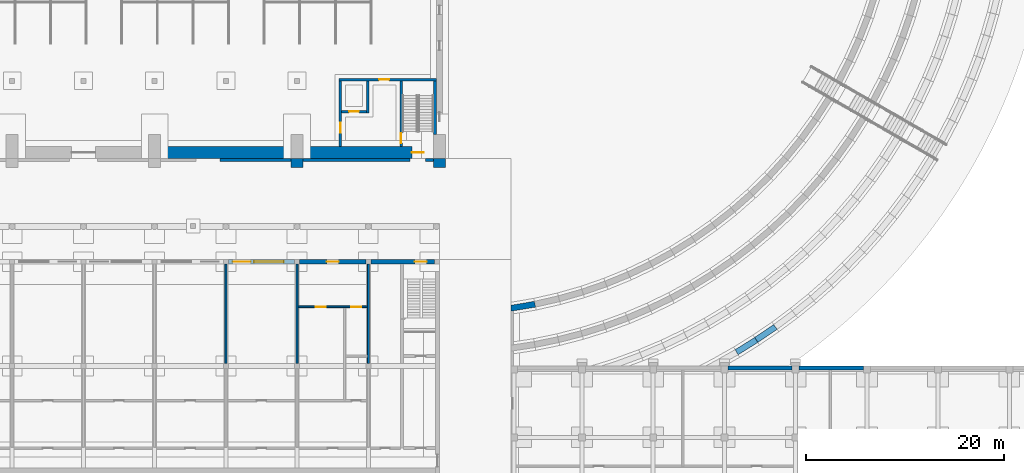
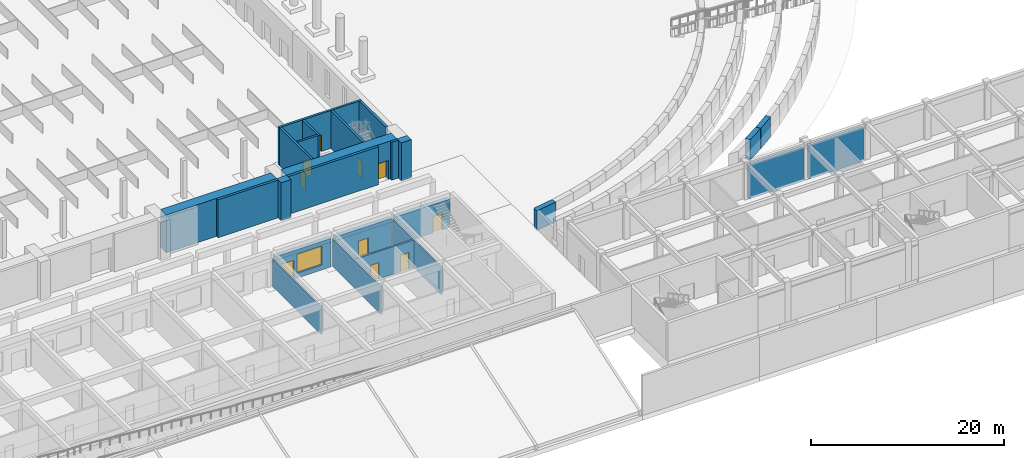
# One storey, part 44 of 73: 25 walls, 10 doors, 1 window, 11 openings.
"""IFC4 building model written with IfcOpenShell, lengths in metres."""

from ifc_helpers import new_model, si_unit, direction, frame, frame_2d, origin, place, context, subcontext, project, spatial, polyline, rectangle, outline, extrude, material, layer, layer_set, type_object, element, fill, save


model = new_model("IFC4")

# Units and contexts
model_context = context("Model", 3, precision=1e-05, world=origin(), true_north=direction((0.0, 1.0)))
body_context = subcontext(model_context, "Body", "Model", "MODEL_VIEW")
ifc_project = project(units=[si_unit("LENGTHUNIT", "METRE"), si_unit("AREAUNIT", "SQUARE_METRE"), si_unit("VOLUMEUNIT", "CUBIC_METRE"), si_unit("PLANEANGLEUNIT", "RADIAN"), si_unit("MASSUNIT", "GRAM", prefix="KILO")], contexts=[model_context])

# Site, building, storey
site_placement = place(None, origin())
site = spatial("IfcSite", under=ifc_project, at=site_placement, CompositionType="ELEMENT")
building_placement = place(site_placement, origin())
building = spatial("IfcBuilding", under=site, at=building_placement, Name="Alderwick Market Hall", CompositionType="ELEMENT")
storey_placement = place(building_placement, origin())
storey = spatial("IfcBuildingStorey", under=building, at=storey_placement, Name="LG", CompositionType="ELEMENT", Elevation=0.0)

# Wall, openings, door, window
ifc_material_1 = material(Name="Cast stone 5000 psi", Category="masonry")
ifc_layer_1 = layer(ifc_material_1, 0.5)
ifc_layer_set_1 = layer_set([ifc_layer_1], Name="Cast stone 5000 psi")
wall_type_1 = type_object("IfcWallType", Name="A Cast Stone Shopfront Wall 500", PredefinedType="SOLIDWALL", material=ifc_layer_set_1)
wall_1_placement = place(storey_placement, frame((129.85009765625, 39.35009765625, 0.0), z_axis=(0.0, 0.0, 1.0), x_axis=(1.0, 0.0, 0.0)))
wall_1 = element("IfcWall", 1, at=wall_1_placement, inside=storey, type_object=wall_type_1, Name="A.S.wall.020", PredefinedType="SOLIDWALL", context=body_context, shape_type="SweptSolid", body=[
    extrude(rectangle(XDim=6.699951171875, YDim=0.5, at=frame_2d((3.35009765625, 0.0))), origin(), (0.0, 0.0, 1.0), 3.60009765625),
])
opening_1_placement = place(wall_1_placement, frame((0.449951171875, 0.0, 0.0)))
opening_1 = element("IfcOpeningElement", 2, at=opening_1_placement, cuts=wall_1, Name="Opening A-D028", PredefinedType="OPENING", context=body_context, shape_type="SweptSolid", body=[
    extrude(rectangle(XDim=1.800048828125, YDim=2.39990234375, at=frame_2d((0.89990234375, 1.199951171875))), frame((0.0, 0.260009765625, 0.0), z_axis=(0.0, -1.0, 0.0), x_axis=(1.0, 0.0, 0.0)), (0.0, 0.0, 1.0), 0.52001953125),
])
opening_2_placement = place(wall_1_placement, frame((2.60009765625, 0.0, 0.60009765625)))
opening_2 = element("IfcOpeningElement", 3, at=opening_2_placement, cuts=wall_1, Name="Opening A-W022", PredefinedType="OPENING", context=body_context, shape_type="SweptSolid", body=[
    extrude(rectangle(XDim=3.0, YDim=2.39990234375, at=frame_2d((1.5, 1.199951171875))), frame((0.0, 0.260009765625, 0.0), z_axis=(0.0, -1.0, 0.0), x_axis=(1.0, 0.0, 0.0)), (0.0, 0.0, 1.0), 0.52001953125),
])
ifc_material_2 = material(Name="Aluminium frame and glass", Category="aluminium")
door_type_1 = type_object("IfcDoorType", Name="A Shop Double Door 1800x2400", OperationType="DOUBLE_DOOR_DOUBLE_SWING", PredefinedType="DOOR", material=ifc_material_2)
door_1_placement = place(opening_1_placement, origin())
door_1 = element("IfcDoor", 4, at=door_1_placement, inside=storey, type_object=door_type_1, Name="Bookshop entrance", OperationType="DOUBLE_DOOR_DOUBLE_SWING", OverallHeight=2.39990234375, OverallWidth=1.800048828125, PredefinedType="DOOR", context=body_context, shape_type="SweptSolid", body=[
    extrude(rectangle(XDim=1.800048828125, YDim=2.39990234375, at=frame_2d((0.89990234375, 1.199951171875))), frame((0.0, 0.02490234375, 0.0), z_axis=(0.0, -1.0, 0.0), x_axis=(1.0, 0.0, 0.0)), (0.0, 0.0, 1.0), 0.050048828125),
])
fill(opening_1, door_1)
ifc_material_3 = material(Name="Aluminium frame", Category="aluminium")
window_type = type_object("IfcWindowType", Name="A Shopfront Window 3000x2400", PartitioningType="SINGLE_PANEL", PredefinedType="WINDOW", material=ifc_material_3)
window_placement = place(opening_2_placement, origin())
window = element("IfcWindow", 5, at=window_placement, inside=storey, type_object=window_type, Name="Window A-W022", OverallHeight=2.39990234375, OverallWidth=3.0, PartitioningType="SINGLE_PANEL", PredefinedType="WINDOW", context=body_context, shape_type="SweptSolid", body=[
    extrude(rectangle(XDim=3.0, YDim=2.39990234375, at=frame_2d((1.5, 1.199951171875))), frame((0.0, 0.030029296875, 0.0), z_axis=(0.0, -1.0, 0.0), x_axis=(1.0, 0.0, 0.0)), (0.0, 0.0, 1.0), 0.06005859375),
])
fill(opening_2, window)

# Wall, opening, door
wall_2_placement = place(storey_placement, frame((137.050048828125, 39.35009765625, 0.0), z_axis=(0.0, 0.0, 1.0), x_axis=(1.0, 0.0, 0.0)))
wall_2 = element("IfcWall", 6, at=wall_2_placement, inside=storey, type_object=wall_type_1, Name="A.S.wall.021", PredefinedType="SOLIDWALL", context=body_context, shape_type="SweptSolid", body=[
    extrude(rectangle(XDim=6.699951171875, YDim=0.5, at=frame_2d((3.35009765625, 0.0))), origin(), (0.0, 0.0, 1.0), 3.60009765625),
])
opening_3_placement = place(wall_2_placement, frame((2.75, 0.0, 0.0)))
opening_3 = element("IfcOpeningElement", 7, at=opening_3_placement, cuts=wall_2, Name="Opening A-D029", PredefinedType="OPENING", context=body_context, shape_type="SweptSolid", body=[
    extrude(rectangle(XDim=1.199951171875, YDim=2.10009765625, at=frame_2d((0.60009765625, 1.050048828125))), frame((0.0, 0.260009765625, 0.0), z_axis=(0.0, -1.0, 0.0), x_axis=(1.0, 0.0, 0.0)), (0.0, 0.0, 1.0), 0.52001953125),
])
ifc_material_4 = material(Name="Hollow metal door and frame")
door_type_2 = type_object("IfcDoorType", Name="A Door 1200x2100", OperationType="SINGLE_SWING_LEFT", PredefinedType="DOOR", material=ifc_material_4)
door_2_placement = place(opening_3_placement, origin())
door_2 = element("IfcDoor", 8, at=door_2_placement, inside=storey, type_object=door_type_2, Name="Public WC entrance", OperationType="SINGLE_SWING_LEFT", OverallHeight=2.10009765625, OverallWidth=1.199951171875, PredefinedType="DOOR", context=body_context, shape_type="SweptSolid", body=[
    extrude(rectangle(XDim=1.199951171875, YDim=2.10009765625, at=frame_2d((0.60009765625, 1.050048828125))), frame((0.0, 0.02490234375, 0.0), z_axis=(0.0, -1.0, 0.0), x_axis=(1.0, 0.0, 0.0)), (0.0, 0.0, 1.0), 0.050048828125),
])
fill(opening_3, door_2)

wall_3_placement = place(storey_placement, frame((144.25, 39.35009765625, 0.0), z_axis=(0.0, 0.0, 1.0), x_axis=(1.0, 0.0, 0.0)))
wall_3 = element("IfcWall", 9, at=wall_3_placement, inside=storey, type_object=wall_type_1, Name="A.S.wall.022", PredefinedType="SOLIDWALL", context=body_context, shape_type="SweptSolid", body=[
    extrude(rectangle(XDim=6.449951171875, YDim=0.5, at=frame_2d((3.22509765625, 0.0))), origin(), (0.0, 0.0, 1.0), 3.60009765625),
])
opening_4_placement = place(wall_3_placement, frame((4.449951171875, 0.0, 0.0)))
opening_4 = element("IfcOpeningElement", 10, at=opening_4_placement, cuts=wall_3, Name="Opening A-D017", PredefinedType="OPENING", context=body_context, shape_type="SweptSolid", body=[
    extrude(rectangle(XDim=1.199951171875, YDim=2.10009765625, at=frame_2d((0.60009765625, 1.050048828125))), frame((0.0, 0.260009765625, 0.0), z_axis=(0.0, -1.0, 0.0), x_axis=(1.0, 0.0, 0.0)), (0.0, 0.0, 1.0), 0.52001953125),
])
door_3_placement = place(opening_4_placement, origin())
door_3 = element("IfcDoor", 11, at=door_3_placement, inside=storey, type_object=door_type_2, Name="Roof Stair A2 door", OperationType="SINGLE_SWING_LEFT", OverallHeight=2.10009765625, OverallWidth=1.199951171875, PredefinedType="DOOR", context=body_context, shape_type="SweptSolid", body=[
    extrude(rectangle(XDim=1.199951171875, YDim=2.10009765625, at=frame_2d((0.60009765625, 1.050048828125))), frame((0.0, 0.02490234375, 0.0), z_axis=(0.0, -1.0, 0.0), x_axis=(1.0, 0.0, 0.0)), (0.0, 0.0, 1.0), 0.050048828125),
])
fill(opening_4, door_3)

# Wall, openings, doors
ifc_material_5 = material(Name="Concrete masonry 3000 psi", Category="masonry")
ifc_layer_2 = layer(ifc_material_5, 0.199951171875)
ifc_layer_set_2 = layer_set([ifc_layer_2], Name="Concrete masonry 3000 psi")
wall_type_2 = type_object("IfcWallType", Name="A Masonry Partition 200", PredefinedType="PARTITIONING", material=ifc_layer_set_2)
wall_4_placement = place(storey_placement, frame((136.89990234375, 34.800048828125, 0.0), z_axis=(0.0, 0.0, 1.0), x_axis=(1.0, 0.0, 0.0)))
wall_4 = element("IfcWall", 12, at=wall_4_placement, inside=storey, type_object=wall_type_2, Name="A.S.wall.008", PredefinedType="PARTITIONING", context=body_context, shape_type="SweptSolid", body=[
    extrude(rectangle(XDim=7.0, YDim=0.199951171875, at=frame_2d((3.5, 0.0))), origin(), (0.0, 0.0, 1.0), 3.5),
])
opening_5_placement = place(wall_4_placement, frame((1.800048828125, 0.0, 0.0)))
opening_5 = element("IfcOpeningElement", 13, at=opening_5_placement, cuts=wall_4, Name="Opening A-D094", PredefinedType="OPENING", context=body_context, shape_type="SweptSolid", body=[
    extrude(rectangle(XDim=1.0, YDim=2.10009765625, at=frame_2d((0.5, 1.050048828125))), frame((0.0, 0.10986328125, 0.0), z_axis=(0.0, -1.0, 0.0), x_axis=(1.0, 0.0, 0.0)), (0.0, 0.0, 1.0), 0.219970703125),
])
opening_6_placement = place(wall_4_placement, frame((5.39990234375, 0.0, 0.0)))
opening_6 = element("IfcOpeningElement", 14, at=opening_6_placement, cuts=wall_4, Name="Opening A-D095", PredefinedType="OPENING", context=body_context, shape_type="SweptSolid", body=[
    extrude(rectangle(XDim=1.0, YDim=2.10009765625, at=frame_2d((0.5, 1.050048828125))), frame((0.0, 0.10986328125, 0.0), z_axis=(0.0, -1.0, 0.0), x_axis=(1.0, 0.0, 0.0)), (0.0, 0.0, 1.0), 0.219970703125),
])
door_type_3 = type_object("IfcDoorType", Name="A Door 1000x2100", OperationType="SINGLE_SWING_LEFT", PredefinedType="DOOR", material=ifc_material_4)
door_4_placement = place(opening_5_placement, origin())
door_4 = element("IfcDoor", 15, at=door_4_placement, inside=storey, type_object=door_type_3, Name="Public WC door", OperationType="SINGLE_SWING_RIGHT", OverallHeight=2.10009765625, OverallWidth=1.0, PredefinedType="DOOR", context=body_context, shape_type="SweptSolid", body=[
    extrude(rectangle(XDim=1.0, YDim=2.10009765625, at=frame_2d((0.5, 1.050048828125))), frame((0.0, 0.02490234375, 0.0), z_axis=(0.0, -1.0, 0.0), x_axis=(1.0, 0.0, 0.0)), (0.0, 0.0, 1.0), 0.050048828125),
])
fill(opening_5, door_4)
door_5_placement = place(opening_6_placement, origin())
door_5 = element("IfcDoor", 16, at=door_5_placement, inside=storey, type_object=door_type_3, Name="Accessible WC door", OperationType="SINGLE_SWING_LEFT", OverallHeight=2.10009765625, OverallWidth=1.0, PredefinedType="DOOR", context=body_context, shape_type="SweptSolid", body=[
    extrude(rectangle(XDim=1.0, YDim=2.10009765625, at=frame_2d((0.5, 1.050048828125))), frame((0.0, 0.02490234375, 0.0), z_axis=(0.0, -1.0, 0.0), x_axis=(1.0, 0.0, 0.0)), (0.0, 0.0, 1.0), 0.050048828125),
])
fill(opening_6, door_5)

# Walls
for number, where, z_axis, x_axis, name in (
    (17, (129.60009765625, 29.050048828125, 0.0), (0.0, 0.0, 1.0), (0.0, 1.0, 0.0), "A.S.wall.046"),
    (18, (136.800048828125, 29.050048828125, 0.0), (0.0, 0.0, 1.0), (0.0, 1.0, 0.0), "A.S.wall.048"),
    (19, (144.0, 29.050048828125, 0.0), (0.0, 0.0, 1.0), (0.0, 1.0, 0.0), "A.S.wall.051"),
):
    element("IfcWall", number, at=place(storey_placement, frame(where, z_axis=z_axis, x_axis=x_axis)), inside=storey, type_object=wall_type_2, Name=name, PredefinedType="PARTITIONING", context=body_context, shape_type="SweptSolid", body=[
        extrude(rectangle(XDim=10.050048828125, YDim=0.199951171875, at=frame_2d((5.02490234375, 0.0))), origin(), (0.0, 0.0, 1.0), 3.5),
    ])
ifc_material_6 = material(Name="Concrete 5000 psi (f'c 35 MPa)", Category="concrete")
ifc_layer_3 = layer(ifc_material_6, 0.39990234375)
ifc_layer_set_3 = layer_set([ifc_layer_3], Name="Concrete 5000 psi (f'c 35 MPa)")
wall_type_3 = type_object("IfcWallType", Name="C Base Wall Concrete 5000 psi 400", PredefinedType="SHEAR", material=ifc_layer_set_3)
for number, where, z_axis, x_axis, name in (
    (20, (180.35009765625, 28.60009765625, -0.300048828125), (0.0, 0.0, 1.0), (1.0, 0.0, 0.0), "C.wall.LG.fac.front.04"),
    (21, (187.550048828125, 28.60009765625, -0.300048828125), (0.0, 0.0, 1.0), (1.0, 0.0, 0.0), "C.wall.LG.fac.front.05"),
):
    element("IfcWall", number, at=place(storey_placement, frame(where, z_axis=z_axis, x_axis=x_axis)), inside=storey, type_object=wall_type_3, Name=name, PredefinedType="SHEAR", context=body_context, shape_type="SweptSolid", body=[
        extrude(rectangle(XDim=6.5, YDim=0.39990234375, at=frame_2d((3.25, 0.0))), origin(), (0.0, 0.0, 1.0), 4.25),
    ])
ifc_material_7 = material(Name="Cast stone 5000 psi (f'c 35 MPa), ASTM C1364", Category="masonry")
ifc_layer_4 = layer(ifc_material_7, 0.300048828125)
ifc_layer_set_4 = layer_set([ifc_layer_4], Name="Cast stone 5000 psi (f'c 35 MPa), ASTM C1364")
wall_type_4 = type_object("IfcWallType", Name="H Base course 300", PredefinedType="SOLIDWALL", material=ifc_layer_set_4)
wall_5_placement = place(storey_placement, frame((129.0, 49.64990234375, 0.0), z_axis=(0.0, 0.0, 1.0), x_axis=(1.0, 0.0, 0.0)))
element("IfcWall", 22, at=wall_5_placement, inside=storey, type_object=wall_type_4, Name="Base course S6 plinth", PredefinedType="SOLIDWALL", context=body_context, shape_type="SweptSolid", body=[
    extrude(rectangle(XDim=7.199951171875, YDim=0.300048828125, at=frame_2d((3.60009765625, 0.0))), origin(), (0.0, 0.0, 1.0), 4.800048828125),
])
wall_6_placement = place(storey_placement, frame((137.39990234375, 49.64990234375, 0.0), z_axis=(0.0, 0.0, 1.0), x_axis=(1.0, 0.0, 0.0)))
element("IfcWall", 23, at=wall_6_placement, inside=storey, type_object=wall_type_4, Name="Base course S7 plinth", PredefinedType="SOLIDWALL", context=body_context, shape_type="SweptSolid", body=[
    extrude(rectangle(XDim=10.800048828125, YDim=0.300048828125, at=frame_2d((5.39990234375, 0.0))), origin(), (0.0, 0.0, 1.0), 4.800048828125),
])
wall_7_placement = place(storey_placement, frame((149.800048828125, 49.64990234375, 0.0), z_axis=(0.0, 0.0, 1.0), x_axis=(1.0, 0.0, 0.0)))
element("IfcWall", 24, at=wall_7_placement, inside=storey, type_object=wall_type_4, Name="Base course S7 plinth", PredefinedType="SOLIDWALL", context=body_context, shape_type="SweptSolid", body=[
    extrude(rectangle(XDim=0.800048828125, YDim=0.300048828125, at=frame_2d((0.39990234375, 0.0))), origin(), (0.0, 0.0, 1.0), 4.800048828125),
])
ifc_material_8 = material(Name="Face brick masonry, ASTM C216 grade SW (f'm 17 MPa)", Category="masonry")
ifc_layer_5 = layer(ifc_material_8, 0.89990234375)
ifc_layer_set_5 = layer_set([ifc_layer_5], Name="Face brick masonry, ASTM C216 grade SW (f'm 17 MPa)")
wall_type_5 = type_object("IfcWallType", Name="H Buttress pier 900", PredefinedType="SOLIDWALL", material=ifc_layer_set_5)
for number, where, z_axis, x_axis, name in (
    (25, (136.199951171875, 49.35009765625, 0.0), (0.0, 0.0, 1.0), (1.0, 0.0, 0.0), "Buttress pier S7"),
    (26, (150.60009765625, 49.35009765625, 0.0), (0.0, 0.0, 1.0), (1.0, 0.0, 0.0), "Buttress pier S8"),
):
    element("IfcWall", number, at=place(storey_placement, frame(where, z_axis=z_axis, x_axis=x_axis)), inside=storey, type_object=wall_type_5, Name=name, PredefinedType="SOLIDWALL", context=body_context, shape_type="SweptSolid", body=[
        extrude(rectangle(XDim=1.199951171875, YDim=0.89990234375, at=frame_2d((0.60009765625, 0.0))), origin(), (0.0, 0.0, 1.0), 4.800048828125),
    ])

# Wall, opening, door
ifc_layer_6 = layer(ifc_material_6, 0.25)
ifc_layer_set_6 = layer_set([ifc_layer_6], Name="Concrete 5000 psi (f'c 35 MPa)")
wall_type_6 = type_object("IfcWallType", Name="H Core wall 250", PredefinedType="SOLIDWALL", material=ifc_layer_set_6)
wall_8_placement = place(storey_placement, frame((141.050048828125, 57.764892578125, 0.0), z_axis=(0.0, 0.0, 1.0), x_axis=(1.0, 0.0, 0.0)))
wall_8 = element("IfcWall", 27, at=wall_8_placement, inside=storey, type_object=wall_type_6, Name="Core wall H-SE", PredefinedType="SOLIDWALL", context=body_context, shape_type="SweptSolid", body=[
    extrude(rectangle(XDim=9.849853515625, YDim=0.25, at=frame_2d((4.9248046875, 0.0))), origin(), (0.0, 0.0, 1.0), 4.800048828125),
])
opening_7_placement = place(wall_8_placement, frame((4.050048828125, 0.0, 0.0)))
opening_7 = element("IfcOpeningElement", 28, at=opening_7_placement, cuts=wall_8, Name="Opening H-D040", PredefinedType="OPENING", context=body_context, shape_type="SweptSolid", body=[
    extrude(rectangle(XDim=1.0, YDim=2.10009765625, at=frame_2d((0.5, 1.050048828125))), frame((0.0, 0.135009765625, 0.0), z_axis=(0.0, -1.0, 0.0), x_axis=(1.0, 0.0, 0.0)), (0.0, 0.0, 1.0), 0.27001953125),
])
ifc_material_9 = material(Name="Steel, fire-rated", Category="steel")
door_type_4 = type_object("IfcDoorType", Name="H Stair door FD90 1000x2100", OperationType="SINGLE_SWING_LEFT", PredefinedType="DOOR", material=ifc_material_9)
door_6_placement = place(opening_7_placement, origin())
door_6 = element("IfcDoor", 29, at=door_6_placement, inside=storey, type_object=door_type_4, Name="Door H-D040", OperationType="SINGLE_SWING_LEFT", OverallHeight=2.10009765625, OverallWidth=1.0, PredefinedType="DOOR", context=body_context, shape_type="SweptSolid", body=[
    extrude(rectangle(XDim=1.0, YDim=2.10009765625, at=frame_2d((0.5, 1.050048828125))), frame((0.0, 0.02490234375, 0.0), z_axis=(0.0, -1.0, 0.0), x_axis=(1.0, 0.0, 0.0)), (0.0, 0.0, 1.0), 0.050048828125),
])
fill(opening_7, door_6)

wall_9_placement = place(storey_placement, frame((141.175048828125, 51.0, 0.0), z_axis=(0.0, 0.0, 1.0), x_axis=(0.0, 1.0, 0.0)))
wall_9 = element("IfcWall", 30, at=wall_9_placement, inside=storey, type_object=wall_type_6, Name="Core wall H-SE", PredefinedType="SOLIDWALL", context=body_context, shape_type="SweptSolid", body=[
    extrude(rectangle(XDim=6.639892578125, YDim=0.25, at=frame_2d((3.31982421875, 0.0))), origin(), (0.0, 0.0, 1.0), 4.800048828125),
])
opening_8_placement = place(wall_9_placement, frame((1.39990234375, 0.0, 0.0)))
opening_8 = element("IfcOpeningElement", 31, at=opening_8_placement, cuts=wall_9, Name="Opening H-D039", PredefinedType="OPENING", context=body_context, shape_type="SweptSolid", body=[
    extrude(rectangle(XDim=1.0, YDim=2.10009765625, at=frame_2d((0.5, 1.050048828125))), frame((0.0, 0.135009765625, 0.0), z_axis=(0.0, -1.0, 0.0), x_axis=(1.0, 0.0, 0.0)), (0.0, 0.0, 1.0), 0.27001953125),
])
door_7_placement = place(opening_8_placement, origin())
door_7 = element("IfcDoor", 32, at=door_7_placement, inside=storey, type_object=door_type_4, Name="Door H-D039", OperationType="SINGLE_SWING_LEFT", OverallHeight=2.10009765625, OverallWidth=1.0, PredefinedType="DOOR", context=body_context, shape_type="SweptSolid", body=[
    extrude(rectangle(XDim=1.0, YDim=2.10009765625, at=frame_2d((0.5, 1.050048828125))), frame((0.0, 0.02490234375, 0.0), z_axis=(0.0, -1.0, 0.0), x_axis=(1.0, 0.0, 0.0)), (0.0, 0.0, 1.0), 0.050048828125),
])
fill(opening_8, door_7)

wall_10_placement = place(storey_placement, frame((147.324951171875, 51.0, 0.0), z_axis=(0.0, 0.0, 1.0), x_axis=(0.0, 1.0, 0.0)))
wall_10 = element("IfcWall", 33, at=wall_10_placement, inside=storey, type_object=wall_type_6, Name="Core wall H-SE", PredefinedType="SOLIDWALL", context=body_context, shape_type="SweptSolid", body=[
    extrude(rectangle(XDim=6.639892578125, YDim=0.25, at=frame_2d((3.31982421875, 0.0))), origin(), (0.0, 0.0, 1.0), 4.800048828125),
])
opening_9_placement = place(wall_10_placement, frame((0.35009765625, 0.0, 0.0)))
opening_9 = element("IfcOpeningElement", 34, at=opening_9_placement, cuts=wall_10, Name="Opening H-D038", PredefinedType="OPENING", context=body_context, shape_type="SweptSolid", body=[
    extrude(rectangle(XDim=1.0, YDim=2.10009765625, at=frame_2d((0.5, 1.050048828125))), frame((0.0, 0.135009765625, 0.0), z_axis=(0.0, -1.0, 0.0), x_axis=(1.0, 0.0, 0.0)), (0.0, 0.0, 1.0), 0.27001953125),
])
door_8_placement = place(opening_9_placement, origin())
door_8 = element("IfcDoor", 35, at=door_8_placement, inside=storey, type_object=door_type_4, Name="Door H-D038", OperationType="SINGLE_SWING_LEFT", OverallHeight=2.10009765625, OverallWidth=1.0, PredefinedType="DOOR", context=body_context, shape_type="SweptSolid", body=[
    extrude(rectangle(XDim=1.0, YDim=2.10009765625, at=frame_2d((0.5, 1.050048828125))), frame((0.0, 0.02490234375, 0.0), z_axis=(0.0, -1.0, 0.0), x_axis=(1.0, 0.0, 0.0)), (0.0, 0.0, 1.0), 0.050048828125),
])
fill(opening_9, door_8)

# Wall
wall_11_placement = place(storey_placement, frame((143.925048828125, 54.389892578125, 0.0), z_axis=(0.0, 0.0, 1.0), x_axis=(0.0, 1.0, 0.0)))
element("IfcWall", 36, at=wall_11_placement, inside=storey, type_object=wall_type_6, Name="Core wall H-SE", PredefinedType="SOLIDWALL", context=body_context, shape_type="SweptSolid", body=[
    extrude(rectangle(XDim=3.25, YDim=0.25, at=frame_2d((1.625, 0.0))), origin(), (0.0, 0.0, 1.0), 4.800048828125),
])

# Wall, opening, door
wall_12_placement = place(storey_placement, frame((141.300048828125, 54.514892578125, 0.0), z_axis=(0.0, 0.0, 1.0), x_axis=(1.0, 0.0, 0.0)))
wall_12 = element("IfcWall", 37, at=wall_12_placement, inside=storey, type_object=wall_type_6, Name="Core wall H-SE", PredefinedType="SOLIDWALL", context=body_context, shape_type="SweptSolid", body=[
    extrude(rectangle(XDim=2.5, YDim=0.25, at=frame_2d((1.25, 0.0))), origin(), (0.0, 0.0, 1.0), 4.800048828125),
])
opening_10_placement = place(wall_12_placement, frame((0.75, 0.0, 0.0)))
opening_10 = element("IfcOpeningElement", 38, at=opening_10_placement, cuts=wall_12, Name="Opening H-D037", PredefinedType="OPENING", context=body_context, shape_type="SweptSolid", body=[
    extrude(rectangle(XDim=1.0, YDim=2.10009765625, at=frame_2d((0.5, 1.050048828125))), frame((0.0, 0.135009765625, 0.0), z_axis=(0.0, -1.0, 0.0), x_axis=(1.0, 0.0, 0.0)), (0.0, 0.0, 1.0), 0.27001953125),
])
ifc_material_10 = material(Name="Timber, solid core", Category="wood")
door_type_5 = type_object("IfcDoorType", Name="H Room door 1000x2100", OperationType="SINGLE_SWING_LEFT", PredefinedType="DOOR", material=ifc_material_10)
door_9_placement = place(opening_10_placement, origin())
door_9 = element("IfcDoor", 39, at=door_9_placement, inside=storey, type_object=door_type_5, Name="Door H-D037", OperationType="SINGLE_SWING_LEFT", OverallHeight=2.10009765625, OverallWidth=1.0, PredefinedType="DOOR", context=body_context, shape_type="SweptSolid", body=[
    extrude(rectangle(XDim=1.0, YDim=2.10009765625, at=frame_2d((0.5, 1.050048828125))), frame((0.0, 0.02490234375, 0.0), z_axis=(0.0, -1.0, 0.0), x_axis=(1.0, 0.0, 0.0)), (0.0, 0.0, 1.0), 0.050048828125),
])
fill(opening_10, door_9)

# Wall
ifc_layer_7 = layer(ifc_material_6, 1.199951171875)
ifc_layer_set_7 = layer_set([ifc_layer_7], Name="Concrete 5000 psi (f'c 35 MPa)")
wall_type_7 = type_object("IfcWallType", Name="H Long wall 1200", PredefinedType="SOLIDWALL", material=ifc_layer_set_7)
wall_13_placement = place(storey_placement, frame((123.0, 50.39990234375, 0.0), z_axis=(0.0, 0.0, 1.0), x_axis=(1.0, 0.0, 0.0)))
element("IfcWall", 40, at=wall_13_placement, inside=storey, type_object=wall_type_7, Name="Long wall S LG 6", PredefinedType="SOLIDWALL", context=body_context, shape_type="SweptSolid", body=[
    extrude(rectangle(XDim=13.199951171875, YDim=1.199951171875, at=frame_2d((6.60009765625, 0.0))), origin(), (0.0, 0.0, 1.0), 4.800048828125),
])

# Wall, opening, door
wall_14_placement = place(storey_placement, frame((137.39990234375, 50.39990234375, 0.0), z_axis=(0.0, 0.0, 1.0), x_axis=(1.0, 0.0, 0.0)))
wall_14 = element("IfcWall", 41, at=wall_14_placement, inside=storey, type_object=wall_type_7, Name="Long wall S LG 7", PredefinedType="SOLIDWALL", context=body_context, shape_type="SweptSolid", body=[
    extrude(rectangle(XDim=13.2001953125, YDim=1.199951171875, at=frame_2d((6.60009765625, 0.0))), origin(), (0.0, 0.0, 1.0), 4.800048828125),
])
opening_11_placement = place(wall_14_placement, frame((12.199951171875, 0.0, 0.0), z_axis=(0.0, 0.0, 1.0), x_axis=(-1.0, 0.0, 0.0)))
opening_11 = element("IfcOpeningElement", 42, at=opening_11_placement, cuts=wall_14, Name="Opening H-D005", PredefinedType="OPENING", context=body_context, shape_type="SweptSolid", body=[
    extrude(rectangle(XDim=1.199951171875, YDim=2.39990234375, at=frame_2d((0.60009765625, 1.199951171875))), frame((0.0, 0.60986328125, 0.0), z_axis=(0.0, -1.0, 0.0), x_axis=(1.0, 0.0, 0.0)), (0.0, 0.0, 1.0), 1.219970703125),
])
door_type_6 = type_object("IfcDoorType", Name="H Exit door FD60 1200x2400", OperationType="SINGLE_SWING_LEFT", PredefinedType="DOOR", material=ifc_material_9)
door_10_placement = place(opening_11_placement, origin())
door_10 = element("IfcDoor", 43, at=door_10_placement, inside=storey, type_object=door_type_6, Name="Door H-D005", OperationType="SINGLE_SWING_LEFT", OverallHeight=2.39990234375, OverallWidth=1.199951171875, PredefinedType="DOOR", context=body_context, shape_type="SweptSolid", body=[
    extrude(rectangle(XDim=1.199951171875, YDim=2.39990234375, at=frame_2d((0.60009765625, 1.199951171875))), frame((0.0, 0.02490234375, 0.0), z_axis=(0.0, -1.0, 0.0), x_axis=(1.0, 0.0, 0.0)), (0.0, 0.0, 1.0), 0.050048828125),
])
fill(opening_11, door_10)

# Walls
ifc_layer_8 = layer(ifc_material_6, 0.300048828125)
ifc_layer_set_8 = layer_set([ifc_layer_8], Name="Concrete 5000 psi (f'c 35 MPa)")
wall_type_8 = type_object("IfcWallType", Name="H Stair furring wall 300", PredefinedType="SOLIDWALL", material=ifc_layer_set_8)
wall_15_placement = place(storey_placement, frame((150.75, 52.199951171875, 0.0), z_axis=(0.0, 0.0, 1.0), x_axis=(0.0, 1.0, 0.0)))
element("IfcWall", 44, at=wall_15_placement, inside=storey, type_object=wall_type_8, Name="Core wall H-SE", PredefinedType="SOLIDWALL", context=body_context, shape_type="SweptSolid", body=[
    extrude(rectangle(XDim=5.43994140625, YDim=0.300048828125, at=frame_2d((2.719970703125, 0.0))), origin(), (0.0, 0.0, 1.0), 4.800048828125),
])
ifc_layer_9 = layer(ifc_material_6, 0.60009765625)
ifc_layer_set_9 = layer_set([ifc_layer_9], Name="Concrete 5000 psi (f'c 35 MPa)")
wall_type_9 = type_object("IfcWallType", Name="S Terrace Wall 600", PredefinedType="SOLIDWALL", material=ifc_layer_set_9)
wall_16_placement = place(storey_placement, frame((0.0, 0.0, -0.199951171875)))
element("IfcWall", 45, at=wall_16_placement, inside=storey, type_object=wall_type_9, Name="Terrace wall W1.01", PredefinedType="SOLIDWALL", context=body_context, shape_type="SweptSolid", body=[
    extrude(outline(polyline([(158.39990234375, 34.947509765625), (158.39990234375, 34.34033203125), (158.44189453125, 34.345947265625), (160.91064453125, 34.764892578125), (160.7939453125, 35.353759765625), (158.39990234375, 34.947509765625)])), origin(), (0.0, 0.0, 1.0), 2.5),
])
wall_17_placement = place(storey_placement, frame((181.235107421875, 30.208984375, 3.300048828125), z_axis=(0.0, 0.0, 1.0), x_axis=(0.848862318923, 0.52861400238, 0.0)))
element("IfcWall", 46, at=wall_17_placement, inside=storey, type_object=wall_type_9, Name="Terrace wall W4.02", PredefinedType="SOLIDWALL", context=body_context, shape_type="SweptSolid", body=[
    extrude(rectangle(XDim=2.33056640625, YDim=0.60009765625, at=frame_2d((1.165283203125, 0.0))), origin(), (0.0, 0.0, 1.0), 2.599853515625),
])
wall_18_placement = place(storey_placement, frame((183.2236328125, 31.447509765625, 3.300048828125), z_axis=(0.0, 0.0, 1.0), x_axis=(0.826464423896, 0.562988948412, 0.0)))
element("IfcWall", 47, at=wall_18_placement, inside=storey, type_object=wall_type_9, Name="Terrace wall W4.03", PredefinedType="SOLIDWALL", context=body_context, shape_type="SweptSolid", body=[
    extrude(rectangle(XDim=2.330322265625, YDim=0.60009765625, at=frame_2d((1.1650390625, 0.0))), origin(), (0.0, 0.0, 1.0), 2.599853515625),
])

save(model, "model.ifc")
